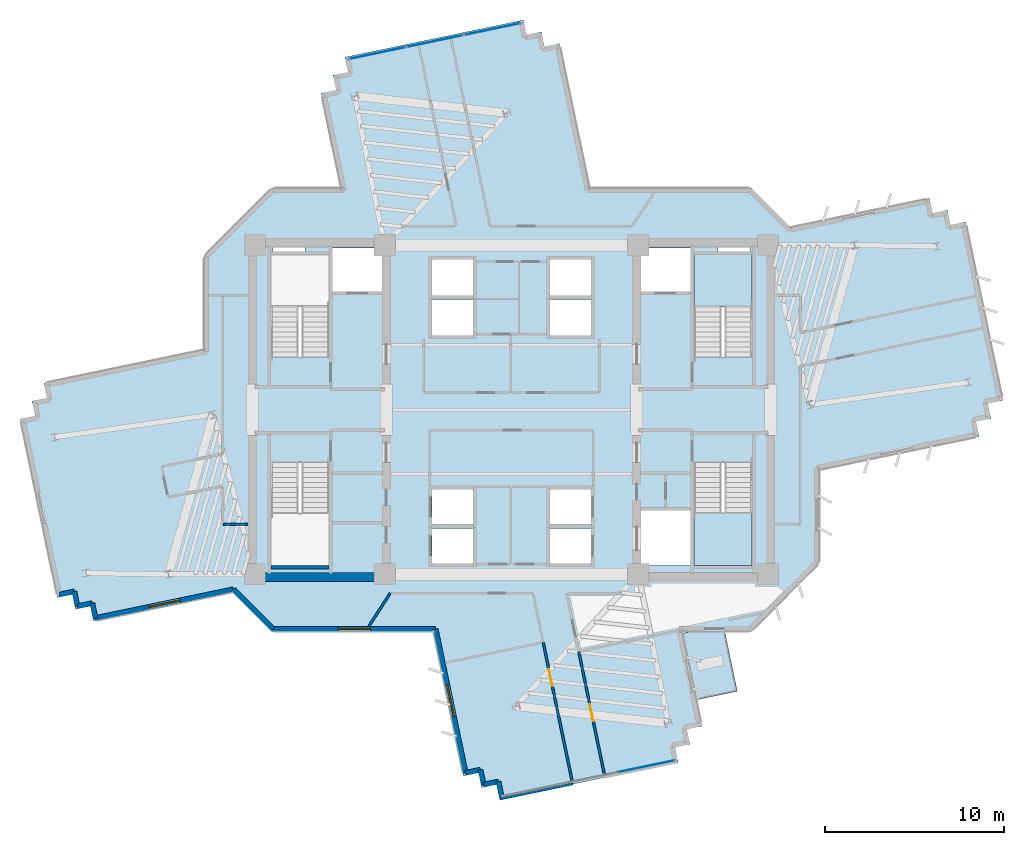
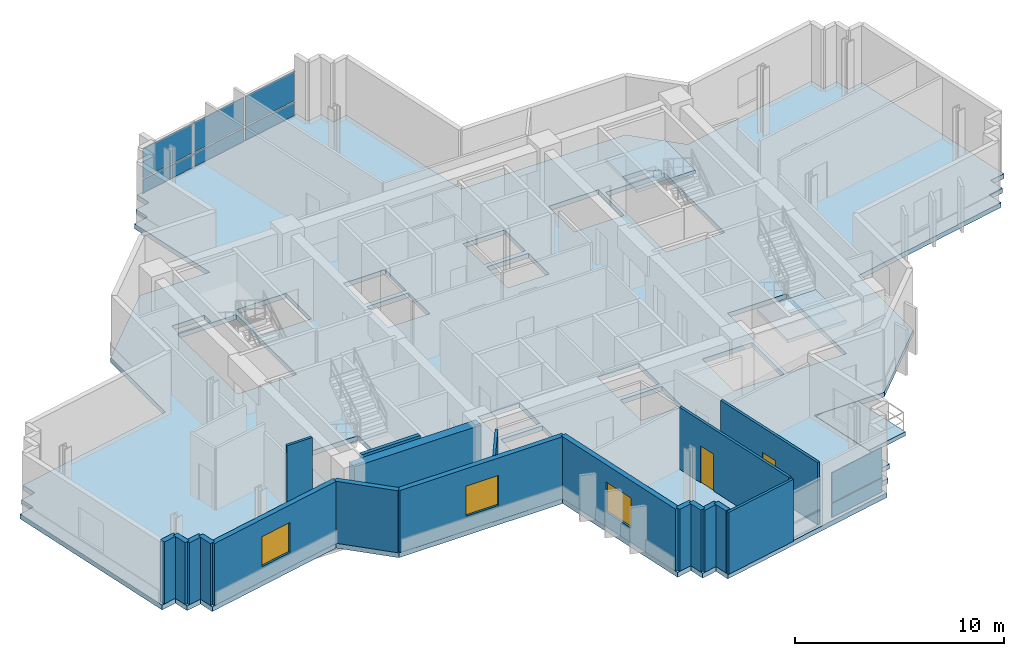
# One storey, part 6 of 14: 19 walls, 8 plates, 4 slabs, 3 windows, 2 doors, 5 openings, 4 elements without a shape of their own.
"""IFC4 building model written with IfcOpenShell, lengths in metres."""

from ifc_helpers import new_model, si_unit, direction, frame, frame_2d, origin, origin_2d, place, context, subcontext, project, spatial, polyline, rectangle, outline, extrude, source, transform, mapped, material, layer, layer_set, type_object, element, fill, aggregate, save


model = new_model("IFC4")

# Units and contexts
model_context = context("Model", 3, precision=1e-05, world=origin(), true_north=direction((0.0, 1.0)))
body_context = subcontext(model_context, "Body", "Model", "MODEL_VIEW")
ifc_project = project(units=[si_unit("LENGTHUNIT", "METRE"), si_unit("AREAUNIT", "SQUARE_METRE"), si_unit("VOLUMEUNIT", "CUBIC_METRE"), si_unit("PLANEANGLEUNIT", "RADIAN"), si_unit("MASSUNIT", "GRAM", prefix="KILO")], contexts=[model_context])

# Site, building, storey
site_placement = place(None, origin())
site = spatial("IfcSite", under=ifc_project, at=site_placement, CompositionType="ELEMENT")
building_placement = place(site_placement, origin())
building = spatial("IfcBuilding", under=site, at=building_placement, Name="Zahravan Cultural Tower", CompositionType="ELEMENT")
storey_placement = place(building_placement, frame((0.0, 0.0, 166.800048828125)))
storey = spatial("IfcBuildingStorey", under=building, at=storey_placement, Name="L38", CompositionType="ELEMENT", Elevation=166.800048828125)

# Slab
ifc_material_1 = material(Name="Concrete C45/55", Category="concrete")
ifc_layer_1 = layer(ifc_material_1, 0.280029296875)
ifc_layer_set_1 = layer_set([ifc_layer_1], Name="Concrete C45/55")
slab_type_1 = type_object("IfcSlabType", Name="SL-LIB-280", PredefinedType="FLOOR", material=ifc_layer_set_1)
slab_1_placement = place(storey_placement, frame((0.0, 0.0, -0.280029296875)))
element("IfcSlab", 1, at=slab_1_placement, inside=storey, type_object=slab_type_1, Name="L38 Structural Floor Slab", PredefinedType="FLOOR", context=body_context, shape_type="SweptSolid", body=[
    extrude(outline(polyline([(51.600341796875, 37.19970703125), (49.39990234375, 39.39990234375), (40.3603515625, 39.39990234375), (38.67578125, 47.4775390625), (37.84375, 47.303955078125), (37.670166015625, 48.135986328125), (36.837890625, 47.962646484375), (36.66455078125, 48.794677734375), (26.67919921875, 46.71240234375), (26.852783203125, 45.880126953125), (26.020751953125, 45.706787109375), (26.1943359375, 44.87451171875), (25.3623046875, 44.701171875), (26.4677734375, 39.39990234375), (22.60009765625, 39.39990234375), (18.800048828125, 35.60009765625), (18.800048828125, 30.359375), (9.844482421875, 28.49169921875), (10.01806640625, 27.65966796875), (9.18603515625, 27.486083984375), (9.359619140625, 26.654052734375), (8.527587890625, 26.48046875), (10.60986328125, 16.4951171875), (11.44189453125, 16.668701171875), (11.615478515625, 15.836669921875), (12.447509765625, 16.01025390625), (12.62109375, 15.177978515625), (20.399658203125, 16.80029296875), (22.60009765625, 14.60009765625), (31.6396484375, 14.60009765625), (33.32421875, 6.5224609375), (34.15625, 6.696044921875), (34.329833984375, 5.864013671875), (35.162109375, 6.037353515625), (35.33544921875, 5.205322265625), (45.32080078125, 7.28759765625), (45.147216796875, 8.119873046875), (45.979248046875, 8.293212890625), (45.8056640625, 9.12548828125), (46.6376953125, 9.298828125), (45.5322265625, 14.60009765625), (49.39990234375, 14.60009765625), (53.199951171875, 18.39990234375), (53.199951171875, 23.640625), (62.155517578125, 25.50830078125), (61.98193359375, 26.34033203125), (62.81396484375, 26.513916015625), (62.640380859375, 27.345947265625), (63.472412109375, 27.51953125), (61.39013671875, 37.5048828125), (60.55810546875, 37.331298828125), (60.384521484375, 38.163330078125), (59.552490234375, 37.98974609375), (59.37890625, 38.822021484375), (51.600341796875, 37.19970703125)]), holes=[polyline([(22.550048828125, 29.949951171875), (22.550048828125, 35.699951171875), (25.800048828125, 35.699951171875), (25.800048828125, 29.949951171875), (22.550048828125, 29.949951171875)]), polyline([(22.550048828125, 18.300048828125), (22.550048828125, 24.050048828125), (25.800048828125, 24.050048828125), (25.800048828125, 18.300048828125), (22.550048828125, 18.300048828125)]), polyline([(46.199951171875, 29.949951171875), (46.199951171875, 35.699951171875), (49.449951171875, 35.699951171875), (49.449951171875, 29.949951171875), (46.199951171875, 29.949951171875)]), polyline([(46.199951171875, 18.300048828125), (46.199951171875, 24.050048828125), (49.449951171875, 24.050048828125), (49.449951171875, 18.300048828125), (46.199951171875, 18.300048828125)]), polyline([(26.0, 33.60009765625), (26.0, 36.050048828125), (28.75, 36.050048828125), (28.75, 33.60009765625), (26.0, 33.60009765625)]), polyline([(43.25, 33.60009765625), (43.25, 36.050048828125), (46.0, 36.050048828125), (46.0, 33.60009765625), (43.25, 33.60009765625)]), polyline([(43.25, 18.300048828125), (43.25, 21.35009765625), (46.0, 21.35009765625), (46.0, 18.300048828125), (43.25, 18.300048828125)]), polyline([(31.550048828125, 33.39990234375), (31.550048828125, 35.39990234375), (33.85009765625, 35.39990234375), (33.85009765625, 33.39990234375), (31.550048828125, 33.39990234375)]), polyline([(31.550048828125, 31.14990234375), (31.550048828125, 33.14990234375), (33.85009765625, 33.14990234375), (33.85009765625, 31.14990234375), (31.550048828125, 31.14990234375)]), polyline([(38.14990234375, 33.39990234375), (38.14990234375, 35.39990234375), (40.449951171875, 35.39990234375), (40.449951171875, 33.39990234375), (38.14990234375, 33.39990234375)]), polyline([(38.14990234375, 31.14990234375), (38.14990234375, 33.14990234375), (40.449951171875, 33.14990234375), (40.449951171875, 31.14990234375), (38.14990234375, 31.14990234375)]), polyline([(31.550048828125, 20.60009765625), (31.550048828125, 22.550048828125), (33.85009765625, 22.550048828125), (33.85009765625, 20.60009765625), (31.550048828125, 20.60009765625)]), polyline([(31.550048828125, 18.39990234375), (31.550048828125, 20.35009765625), (33.85009765625, 20.35009765625), (33.85009765625, 18.39990234375), (31.550048828125, 18.39990234375)]), polyline([(38.14990234375, 20.60009765625), (38.14990234375, 22.550048828125), (40.449951171875, 22.550048828125), (40.449951171875, 20.60009765625), (38.14990234375, 20.60009765625)]), polyline([(38.14990234375, 18.39990234375), (38.14990234375, 20.35009765625), (40.449951171875, 20.35009765625), (40.449951171875, 18.39990234375), (38.14990234375, 18.39990234375)]), polyline([(22.64990234375, 35.800048828125), (22.64990234375, 36.419921875), (24.449951171875, 36.419921875), (24.449951171875, 35.800048828125), (22.64990234375, 35.800048828125)]), polyline([(47.550048828125, 35.800048828125), (47.550048828125, 36.419921875), (49.35009765625, 36.419921875), (49.35009765625, 35.800048828125), (47.550048828125, 35.800048828125)])]), origin(), (0.0, 0.0, 1.0), 0.280029296875),
])

# Stair, slab
stair_type = type_object("IfcStairType", Name="STR-DL-1550-390", PredefinedType="HALF_TURN_STAIR", material=ifc_material_1)
stair_1_placement = place(storey_placement, origin())
stair_1 = element("IfcStair", 2, at=stair_1_placement, inside=storey, type_object=stair_type, Name="L38 East Core North Exit Stair ST-E1", PredefinedType="HALF_TURN_STAIR")
ifc_layer_2 = layer(ifc_material_1, 0.199951171875)
ifc_layer_set_2 = layer_set([ifc_layer_2], Name="Concrete C45/55")
slab_type_2 = type_object("IfcSlabType", Name="SL-STAIR-LND200", PredefinedType="LANDING", material=ifc_layer_set_2)
slab_2_placement = place(storey_placement, frame((0.0, 0.0, 1.75)))
slab_2 = element("IfcSlab", 3, at=slab_2_placement, type_object=slab_type_2, Name="ST-E1 landing 1", PredefinedType="LANDING", context=body_context, shape_type="SweptSolid", body=[
    extrude(outline(polyline([(49.449951171875, 32.75), (49.449951171875, 35.699951171875), (46.199951171875, 35.699951171875), (46.199951171875, 32.75), (49.449951171875, 32.75)])), origin(), (0.0, 0.0, 1.0), 0.199951171875),
])
aggregate(stair_1, [slab_2])

stair_2_placement = place(storey_placement, origin())
stair_2 = element("IfcStair", 4, at=stair_2_placement, inside=storey, type_object=stair_type, Name="L38 East Core South Exit Stair ST-E2", PredefinedType="HALF_TURN_STAIR")
slab_3_placement = place(storey_placement, frame((0.0, 0.0, 1.75)))
slab_3 = element("IfcSlab", 5, at=slab_3_placement, type_object=slab_type_2, Name="ST-E2 landing 1", PredefinedType="LANDING", context=body_context, shape_type="SweptSolid", body=[
    extrude(outline(polyline([(46.199951171875, 21.25), (46.199951171875, 18.300048828125), (49.449951171875, 18.300048828125), (49.449951171875, 21.25), (46.199951171875, 21.25)])), origin(), (0.0, 0.0, 1.0), 0.199951171875),
])
aggregate(stair_2, [slab_3])

# Slab
ifc_material_2 = material(Name="Concrete C40/50", Category="concrete")
ifc_layer_3 = layer(ifc_material_2, 0.239990234375)
ifc_layer_set_3 = layer_set([ifc_layer_3], Name="Concrete C40/50")
slab_type_3 = type_object("IfcSlabType", Name="SL-TERR-240", PredefinedType="FLOOR", material=ifc_layer_set_3)
slab_4_placement = place(storey_placement, frame((0.0, 0.0, -0.239990234375)))
element("IfcSlab", 6, at=slab_4_placement, inside=storey, type_object=slab_type_3, Name="L38 Planted Sculpture Terrace SE", PredefinedType="FLOOR", context=body_context, shape_type="SweptSolid", body=[
    extrude(outline(polyline([(48.632080078125, 11.2470703125), (47.933837890625, 14.594970703125), (46.072265625, 14.594970703125), (45.560791015625, 14.48828125), (46.33642578125, 10.768310546875), (48.632080078125, 11.2470703125)])), origin(), (0.0, 0.0, 1.0), 0.239990234375),
])

# Curtain wall, plates
ifc_material_3 = material(Name="Anodised bronze-aluminium mullion", Category="aluminium")
ifc_layer_4 = layer(ifc_material_3, 0.219970703125)
ifc_layer_set_4 = layer_set([ifc_layer_4], Name="Anodised bronze-aluminium mullion")
curtain_wall_type_1 = type_object("IfcCurtainWallType", Name="CW-SYS-1", PredefinedType="USERDEFINED", material=ifc_layer_set_4)
curtain_wall_1_placement = place(storey_placement, origin())
curtain_wall_1 = element("IfcCurtainWall", 7, at=curtain_wall_1_placement, inside=storey, type_object=curtain_wall_type_1, Name="L38 Recessed Curtain Wall CW-1.2", ObjectType="RECESSED GLAZING", PredefinedType="USERDEFINED")
ifc_material_4 = material(Name="Low-E solar-control double glazing", Category="glass")
ifc_layer_5 = layer(ifc_material_4, 0.031982421875)
ifc_layer_set_5 = layer_set([ifc_layer_5], Name="Low-E solar-control double glazing")
plate_type_1 = type_object("IfcPlateType", Name="CWP-CW-1", PredefinedType="CURTAIN_PANEL", material=ifc_layer_set_5)
shared_shape_1 = source(origin(), body_context, "Body", "SweptSolid", [
    extrude(rectangle(XDim=3.186767578125, YDim=0.031982421875, at=origin_2d()), origin(), (0.0, 0.0, 1.0), 0.780029296875),
])
plate_1_placement = place(storey_placement, frame((28.48291015625, 46.9453125, 0.080078125), z_axis=(0.0, 0.0, 1.0), x_axis=(0.978937039301, 0.204162369415, 0.0)))
plate_1 = element("IfcPlate", 8, at=plate_1_placement, type_object=plate_type_1, Name="CW-1 panel 1.1", PredefinedType="CURTAIN_PANEL", context=body_context, shape_type="MappedRepresentation", body=[
    mapped(shared_shape_1, transform((0.0, 0.0, 0.0), x_axis=(1.0, 0.0, 0.0), y_axis=(0.0, 1.0, 0.0), z_axis=(0.0, 0.0, 1.0), scale=1.0)),
])
plate_2_placement = place(storey_placement, frame((34.91796875, 48.287353515625, 0.080078125), z_axis=(0.0, 0.0, 1.0), x_axis=(0.978937039301, 0.204162369415, 0.0)))
plate_2 = element("IfcPlate", 9, at=plate_2_placement, type_object=plate_type_1, Name="CW-1 panel 3.1", PredefinedType="CURTAIN_PANEL", context=body_context, shape_type="MappedRepresentation", body=[
    mapped(shared_shape_1, transform((0.0, 0.0, 0.0), x_axis=(1.0, 0.0, 0.0), y_axis=(0.0, 1.0, 0.0), z_axis=(0.0, 0.0, 1.0), scale=1.0)),
])

ifc_layer_6 = layer(ifc_material_3, 0.1650390625)
ifc_layer_set_6 = layer_set([ifc_layer_6], Name="Anodised bronze-aluminium mullion")
curtain_wall_type_2 = type_object("IfcCurtainWallType", Name="CW-SYS-4", PredefinedType="USERDEFINED", material=ifc_layer_set_6)
curtain_wall_2_placement = place(storey_placement, origin())
curtain_wall_2 = element("IfcCurtainWall", 10, at=curtain_wall_2_placement, inside=storey, type_object=curtain_wall_type_2, Name="L38 Recessed Curtain Wall CW-4.1", ObjectType="RECESSED GLAZING", PredefinedType="USERDEFINED")
ifc_layer_7 = layer(ifc_material_4, 0.02587890625)
ifc_layer_set_7 = layer_set([ifc_layer_7], Name="Low-E solar-control double glazing")
plate_type_2 = type_object("IfcPlateType", Name="CWP-CW-4", PredefinedType="CURTAIN_PANEL", material=ifc_layer_set_7)
shared_shape_2 = source(origin(), body_context, "Body", "SweptSolid", [
    extrude(rectangle(XDim=3.209228515625, YDim=0.02587890625, at=origin_2d()), origin(), (0.0, 0.0, 1.0), 0.802490234375),
])
plate_3_placement = place(storey_placement, frame((43.520751953125, 7.055419921875, 0.06494140625), z_axis=(0.0, 0.0, 1.0), x_axis=(-0.978937039301, -0.204162369415, 0.0)))
plate_3 = element("IfcPlate", 11, at=plate_3_placement, type_object=plate_type_2, Name="CW-4 panel 1.1", PredefinedType="CURTAIN_PANEL", context=body_context, shape_type="MappedRepresentation", body=[
    mapped(shared_shape_2, transform((0.0, 0.0, 0.0), x_axis=(1.0, 0.0, 0.0), y_axis=(0.0, 1.0, 0.0), z_axis=(0.0, 0.0, 1.0), scale=1.0)),
])
shared_shape_3 = source(origin(), body_context, "Body", "SweptSolid", [
    extrude(rectangle(XDim=3.209228515625, YDim=0.02587890625, at=origin_2d()), origin(), (0.0, 0.0, 1.0), 1.742431640625),
])
plate_4_placement = place(storey_placement, frame((43.520751953125, 7.055419921875, 0.9326171875), z_axis=(0.0, 0.0, 1.0), x_axis=(-0.978937039301, -0.204162369415, 0.0)))
plate_4 = element("IfcPlate", 12, at=plate_4_placement, type_object=plate_type_2, Name="CW-4 panel 1.2", PredefinedType="CURTAIN_PANEL", context=body_context, shape_type="MappedRepresentation", body=[
    mapped(shared_shape_3, transform((0.0, 0.0, 0.0), x_axis=(1.0, 0.0, 0.0), y_axis=(0.0, 1.0, 0.0), z_axis=(0.0, 0.0, 1.0), scale=1.0)),
])
aggregate(curtain_wall_2, [plate_3, plate_4])

# Plate
shared_shape_4 = source(origin(), body_context, "Body", "SweptSolid", [
    extrude(rectangle(XDim=3.186767578125, YDim=0.031982421875, at=origin_2d()), origin(), (0.0, 0.0, 1.0), 1.719970703125),
])
plate_5_placement = place(storey_placement, frame((28.48291015625, 46.9453125, 0.93994140625), z_axis=(0.0, 0.0, 1.0), x_axis=(0.978937039301, 0.204162369415, 0.0)))
plate_5 = element("IfcPlate", 13, at=plate_5_placement, type_object=plate_type_1, Name="CW-1 panel 1.2", PredefinedType="CURTAIN_PANEL", context=body_context, shape_type="MappedRepresentation", body=[
    mapped(shared_shape_4, transform((0.0, 0.0, 0.0), x_axis=(1.0, 0.0, 0.0), y_axis=(0.0, 1.0, 0.0), z_axis=(0.0, 0.0, 1.0), scale=1.0)),
])

plate_6_placement = place(storey_placement, frame((34.91796875, 48.287353515625, 0.93994140625), z_axis=(0.0, 0.0, 1.0), x_axis=(0.978937039301, 0.204162369415, 0.0)))
plate_6 = element("IfcPlate", 14, at=plate_6_placement, type_object=plate_type_1, Name="CW-1 panel 3.2", PredefinedType="CURTAIN_PANEL", context=body_context, shape_type="MappedRepresentation", body=[
    mapped(shared_shape_4, transform((0.0, 0.0, 0.0), x_axis=(1.0, 0.0, 0.0), y_axis=(0.0, 1.0, 0.0), z_axis=(0.0, 0.0, 1.0), scale=1.0)),
])

shared_shape_5 = source(origin(), body_context, "Body", "SweptSolid", [
    extrude(rectangle(XDim=3.2265625, YDim=0.031982421875, at=origin_2d()), origin(), (0.0, 0.0, 1.0), 0.780029296875),
])
plate_7_placement = place(storey_placement, frame((31.700439453125, 47.616455078125, 0.080078125), z_axis=(0.0, 0.0, 1.0), x_axis=(0.978937039301, 0.204162369415, 0.0)))
plate_7 = element("IfcPlate", 15, at=plate_7_placement, type_object=plate_type_1, Name="CW-1 panel 2.1", PredefinedType="CURTAIN_PANEL", context=body_context, shape_type="MappedRepresentation", body=[
    mapped(shared_shape_5, transform((0.0, 0.0, 0.0), x_axis=(1.0, 0.0, 0.0), y_axis=(0.0, 1.0, 0.0), z_axis=(0.0, 0.0, 1.0), scale=1.0)),
])

shared_shape_6 = source(origin(), body_context, "Body", "SweptSolid", [
    extrude(rectangle(XDim=3.2265625, YDim=0.031982421875, at=origin_2d()), origin(), (0.0, 0.0, 1.0), 1.719970703125),
])
plate_8_placement = place(storey_placement, frame((31.700439453125, 47.616455078125, 0.93994140625), z_axis=(0.0, 0.0, 1.0), x_axis=(0.978937039301, 0.204162369415, 0.0)))
plate_8 = element("IfcPlate", 16, at=plate_8_placement, type_object=plate_type_1, Name="CW-1 panel 2.2", PredefinedType="CURTAIN_PANEL", context=body_context, shape_type="MappedRepresentation", body=[
    mapped(shared_shape_6, transform((0.0, 0.0, 0.0), x_axis=(1.0, 0.0, 0.0), y_axis=(0.0, 1.0, 0.0), z_axis=(0.0, 0.0, 1.0), scale=1.0)),
])

aggregate(curtain_wall_1, [plate_1, plate_5, plate_7, plate_8, plate_2, plate_6])

# Wall, opening, window
ifc_material_5 = material(Name="Precast concrete C40/50", Category="concrete")
ifc_layer_8 = layer(ifc_material_5, 0.280029296875)
ifc_layer_set_8 = layer_set([ifc_layer_8], Name="Precast concrete C40/50")
wall_type_1 = type_object("IfcWallType", Name="EW-TC-280", PredefinedType="SOLIDWALL", material=ifc_layer_set_8)
wall_1_placement = place(storey_placement, frame((33.4326171875, 6.68798828125, 0.0), z_axis=(0.0, 0.0, 1.0), x_axis=(-0.204152195211, 0.978939161128, 0.0)))
wall_1 = element("IfcWall", 17, at=wall_1_placement, inside=storey, type_object=wall_type_1, Name="L38 Exterior Masonry Frame Wall 24", PredefinedType="SOLIDWALL", context=body_context, shape_type="SweptSolid", body=[
    extrude(rectangle(XDim=8.225341796875, YDim=0.280029296875, at=frame_2d((4.11279296875, 0.0))), origin(), (0.0, 0.0, 1.0), 3.619873046875),
])
opening_1_placement = place(wall_1_placement, frame((3.212890625, 0.0, 0.85009765625)))
opening_1 = element("IfcOpeningElement", 18, at=opening_1_placement, cuts=wall_1, Name="Opening WN-02", PredefinedType="OPENING", context=body_context, shape_type="SweptSolid", body=[
    extrude(rectangle(XDim=1.800048828125, YDim=1.75, at=frame_2d((0.89990234375, 0.875))), frame((0.0, 0.14990234375, 0.0), z_axis=(0.0, -1.0, 0.0), x_axis=(1.0, 0.0, 0.0)), (0.0, 0.0, 1.0), 0.300048828125),
])
window_type = type_object("IfcWindowType", Name="WN-REC-1800X1750", PartitioningType="DOUBLE_PANEL_VERTICAL", PredefinedType="WINDOW", material=ifc_material_4)
shared_shape_7 = source(origin(), body_context, "Body", "SweptSolid", [
    extrude(rectangle(XDim=1.800048828125, YDim=1.75, at=frame_2d((0.89990234375, 0.875))), frame((0.0, 0.030029296875, 0.0), z_axis=(0.0, -1.0, 0.0), x_axis=(1.0, 0.0, 0.0)), (0.0, 0.0, 1.0), 0.06005859375),
])
window_1_placement = place(opening_1_placement, origin())
window_1 = element("IfcWindow", 19, at=window_1_placement, inside=storey, type_object=window_type, Name="L38 Recessed Solar Window 05", OverallHeight=1.75, OverallWidth=1.800048828125, PartitioningType="DOUBLE_PANEL_VERTICAL", PredefinedType="WINDOW", context=body_context, shape_type="MappedRepresentation", body=[
    mapped(shared_shape_7, transform((0.0, 0.0, 0.0), x_axis=(1.0, 0.0, 0.0), y_axis=(0.0, 1.0, 0.0), z_axis=(0.0, 0.0, 1.0), scale=1.0)),
])
fill(opening_1, window_1)

wall_2_placement = place(storey_placement, frame((31.75341796875, 14.739990234375, 0.0), z_axis=(0.0, 0.0, 1.0), x_axis=(-1.0, 0.0, 0.0)))
wall_2 = element("IfcWall", 20, at=wall_2_placement, inside=storey, type_object=wall_type_1, Name="L38 Exterior Masonry Frame Wall 25", PredefinedType="SOLIDWALL", context=body_context, shape_type="SweptSolid", body=[
    extrude(rectangle(XDim=9.095458984375, YDim=0.280029296875, at=frame_2d((4.5478515625, 0.0))), origin(), (0.0, 0.0, 1.0), 3.619873046875),
])
opening_2_placement = place(wall_2_placement, frame((3.64794921875, 0.0, 0.85009765625)))
opening_2 = element("IfcOpeningElement", 21, at=opening_2_placement, cuts=wall_2, Name="Opening WN-02", PredefinedType="OPENING", context=body_context, shape_type="SweptSolid", body=[
    extrude(rectangle(XDim=1.800048828125, YDim=1.75, at=frame_2d((0.89990234375, 0.875))), frame((0.0, 0.14990234375, 0.0), z_axis=(0.0, -1.0, 0.0), x_axis=(1.0, 0.0, 0.0)), (0.0, 0.0, 1.0), 0.300048828125),
])
window_2_placement = place(opening_2_placement, origin())
window_2 = element("IfcWindow", 22, at=window_2_placement, inside=storey, type_object=window_type, Name="L38 Recessed Solar Window 06", OverallHeight=1.75, OverallWidth=1.800048828125, PartitioningType="DOUBLE_PANEL_VERTICAL", PredefinedType="WINDOW", context=body_context, shape_type="MappedRepresentation", body=[
    mapped(shared_shape_7, transform((0.0, 0.0, 0.0), x_axis=(1.0, 0.0, 0.0), y_axis=(0.0, 1.0, 0.0), z_axis=(0.0, 0.0, 1.0), scale=1.0)),
])
fill(opening_2, window_2)

wall_3_placement = place(storey_placement, frame((20.4453125, 16.952880859375, 0.0), z_axis=(0.0, 0.0, 1.0), x_axis=(-0.978938136474, -0.204157108515, 0.0)))
wall_3 = element("IfcWall", 23, at=wall_3_placement, inside=storey, type_object=wall_type_1, Name="L38 Exterior Masonry Frame Wall 27", PredefinedType="SOLIDWALL", context=body_context, shape_type="SweptSolid", body=[
    extrude(rectangle(XDim=7.8818359375, YDim=0.280029296875, at=frame_2d((3.94091796875, 0.0))), origin(), (0.0, 0.0, 1.0), 3.619873046875),
])
opening_3_placement = place(wall_3_placement, frame((3.041015625, 0.0, 0.85009765625)))
opening_3 = element("IfcOpeningElement", 24, at=opening_3_placement, cuts=wall_3, Name="Opening WN-02", PredefinedType="OPENING", context=body_context, shape_type="SweptSolid", body=[
    extrude(rectangle(XDim=1.800048828125, YDim=1.75, at=frame_2d((0.89990234375, 0.875))), frame((0.0, 0.14990234375, 0.0), z_axis=(0.0, -1.0, 0.0), x_axis=(1.0, 0.0, 0.0)), (0.0, 0.0, 1.0), 0.300048828125),
])
window_3_placement = place(opening_3_placement, origin())
window_3 = element("IfcWindow", 25, at=window_3_placement, inside=storey, type_object=window_type, Name="L38 Recessed Solar Window 07", OverallHeight=1.75, OverallWidth=1.800048828125, PartitioningType="DOUBLE_PANEL_VERTICAL", PredefinedType="WINDOW", context=body_context, shape_type="MappedRepresentation", body=[
    mapped(shared_shape_7, transform((0.0, 0.0, 0.0), x_axis=(1.0, 0.0, 0.0), y_axis=(0.0, 1.0, 0.0), z_axis=(0.0, 0.0, 1.0), scale=1.0)),
])
fill(opening_3, window_3)

# Wall, opening, door
ifc_material_6 = material(Name="Gypsum plasterboard partition")
ifc_layer_9 = layer(ifc_material_6, 0.139892578125)
ifc_layer_set_9 = layer_set([ifc_layer_9], Name="Gypsum plasterboard partition")
wall_type_2 = type_object("IfcWallType", Name="W-PART-140", PredefinedType="PARTITIONING", material=ifc_layer_set_9)
wall_4_placement = place(storey_placement, frame((41.182373046875, 6.656982421875, 0.0), z_axis=(0.0, 0.0, 1.0), x_axis=(-0.204158980406, 0.97893774609, 0.0)))
wall_4 = element("IfcWall", 26, at=wall_4_placement, inside=storey, type_object=wall_type_2, Name="L38 Interior Wall 085", PredefinedType="PARTITIONING", context=body_context, shape_type="SweptSolid", body=[
    extrude(rectangle(XDim=6.95263671875, YDim=0.139892578125, at=frame_2d((3.476318359375, 0.0))), origin(), (0.0, 0.0, 1.0), 3.619873046875),
])
opening_4_placement = place(wall_4_placement, frame((3.001220703125, 0.0, 0.0)))
opening_4 = element("IfcOpeningElement", 27, at=opening_4_placement, cuts=wall_4, Name="Opening D-L38-28", PredefinedType="OPENING", context=body_context, shape_type="SweptSolid", body=[
    extrude(rectangle(XDim=0.949951171875, YDim=2.14990234375, at=frame_2d((0.47509765625, 1.074951171875))), frame((0.0, 0.079833984375, 0.0), z_axis=(0.0, -1.0, 0.0), x_axis=(1.0, 0.0, 0.0)), (0.0, 0.0, 1.0), 0.159912109375),
])
door_type = type_object("IfcDoorType", Name="DR-ROOM-950", OperationType="NOTDEFINED", PredefinedType="DOOR", material=ifc_material_3)
shared_shape_8 = source(origin(), body_context, "Body", "SweptSolid", [
    extrude(rectangle(XDim=0.949951171875, YDim=2.14990234375, at=frame_2d((0.47509765625, 1.074951171875))), frame((0.0, 0.02490234375, 0.0), z_axis=(0.0, -1.0, 0.0), x_axis=(1.0, 0.0, 0.0)), (0.0, 0.0, 1.0), 0.050048828125),
])
door_1_placement = place(opening_4_placement, origin())
door_1 = element("IfcDoor", 28, at=door_1_placement, inside=storey, type_object=door_type, Name="L38 Door D-L38-28", OperationType="SINGLE_SWING_LEFT", OverallHeight=2.14990234375, OverallWidth=0.949951171875, PredefinedType="DOOR", context=body_context, shape_type="MappedRepresentation", body=[
    mapped(shared_shape_8, transform((0.0, 0.0, 0.0), x_axis=(1.0, 0.0, 0.0), y_axis=(0.0, 1.0, 0.0), z_axis=(0.0, 0.0, 1.0), scale=1.0)),
])
fill(opening_4, door_1)

wall_5_placement = place(storey_placement, frame((37.77783203125, 13.968505859375, 0.0), z_axis=(0.0, 0.0, 1.0), x_axis=(0.204175249208, -0.978934353065, 0.0)))
wall_5 = element("IfcWall", 29, at=wall_5_placement, inside=storey, type_object=wall_type_2, Name="L38 Interior Wall 086", PredefinedType="PARTITIONING", context=body_context, shape_type="SweptSolid", body=[
    extrude(rectangle(XDim=7.8525390625, YDim=0.139892578125, at=frame_2d((3.92626953125, 0.0))), origin(), (0.0, 0.0, 1.0), 3.619873046875),
])
opening_5_placement = place(wall_5_placement, frame((1.5185546875, 0.0, 0.0)))
opening_5 = element("IfcOpeningElement", 30, at=opening_5_placement, cuts=wall_5, Name="Opening D-L38-26", PredefinedType="OPENING", context=body_context, shape_type="SweptSolid", body=[
    extrude(rectangle(XDim=0.949951171875, YDim=2.14990234375, at=frame_2d((0.47509765625, 1.074951171875))), frame((0.0, 0.079833984375, 0.0), z_axis=(0.0, -1.0, 0.0), x_axis=(1.0, 0.0, 0.0)), (0.0, 0.0, 1.0), 0.159912109375),
])
door_2_placement = place(opening_5_placement, origin())
door_2 = element("IfcDoor", 31, at=door_2_placement, inside=storey, type_object=door_type, Name="L38 Door D-L38-26", OperationType="SINGLE_SWING_LEFT", OverallHeight=2.14990234375, OverallWidth=0.949951171875, PredefinedType="DOOR", context=body_context, shape_type="MappedRepresentation", body=[
    mapped(shared_shape_8, transform((0.0, 0.0, 0.0), x_axis=(1.0, 0.0, 0.0), y_axis=(0.0, 1.0, 0.0), z_axis=(0.0, 0.0, 1.0), scale=1.0)),
])
fill(opening_5, door_2)

# Walls
ifc_material_7 = material(Name="Concrete C60/75", Category="concrete")
ifc_layer_10 = layer(ifc_material_7, 0.5)
ifc_layer_set_10 = layer_set([ifc_layer_10], Name="Concrete C60/75")
wall_type_3 = type_object("IfcWallType", Name="CW-SHEAR-500-C60", PredefinedType="SHEAR", material=ifc_layer_set_10)
shared_shape_9 = source(origin(), body_context, "Body", "SweptSolid", [
    extrude(rectangle(XDim=7.0, YDim=0.5, at=frame_2d((3.5, 0.0))), origin(), (0.0, 0.0, 1.0), 3.619873046875),
])
wall_6_placement = place(storey_placement, frame((21.75, 17.64990234375, 0.0), z_axis=(0.0, 0.0, 1.0), x_axis=(1.0, 0.0, 0.0)))
element("IfcWall", 32, at=wall_6_placement, inside=storey, type_object=wall_type_3, Name="L38 Core Shear Wall CW-W-S-L38", PredefinedType="SHEAR", context=body_context, shape_type="MappedRepresentation", body=[
    mapped(shared_shape_9, transform((0.0, 0.0, 0.0), x_axis=(1.0, 0.0, 0.0), y_axis=(0.0, 1.0, 0.0), z_axis=(0.0, 0.0, 1.0), scale=1.0)),
])
shared_shape_10 = source(origin(), body_context, "Body", "SweptSolid", [
    extrude(rectangle(XDim=0.85009765625, YDim=0.280029296875, at=frame_2d((0.425048828125, 0.0))), origin(), (0.0, 0.0, 1.0), 3.619873046875),
])
wall_7_placement = place(storey_placement, frame((34.264892578125, 6.861572265625, 0.0), z_axis=(0.0, 0.0, 1.0), x_axis=(-0.97893500384, -0.204172128991, 0.0)))
element("IfcWall", 33, at=wall_7_placement, inside=storey, type_object=wall_type_1, Name="L38 Exterior Masonry Frame Wall 23", PredefinedType="SOLIDWALL", context=body_context, shape_type="MappedRepresentation", body=[
    mapped(shared_shape_10, transform((0.0, 0.0, 0.0), x_axis=(1.0, 0.0, 0.0), y_axis=(0.0, 1.0, 0.0), z_axis=(0.0, 0.0, 1.0), scale=1.0)),
])
shared_shape_11 = source(origin(), body_context, "Body", "SweptSolid", [
    extrude(rectangle(XDim=0.849853515625, YDim=0.280029296875, at=frame_2d((0.4248046875, 0.0))), origin(), (0.0, 0.0, 1.0), 3.619873046875),
])
for number, where, z_axis, x_axis, name in (
    (34, (35.444091796875, 5.370849609375, 0.0), (0.0, 0.0, 1.0), (-0.20422954019, 0.978923028084, 0.0), "L38 Exterior Masonry Frame Wall 20"),
    (35, (35.2705078125, 6.202880859375, 0.0), (0.0, 0.0, 1.0), (-0.978980419738, -0.203954254112, 0.0), "L38 Exterior Masonry Frame Wall 21"),
    (36, (34.4384765625, 6.029541015625, 0.0), (0.0, 0.0, 1.0), (-0.20422954019, 0.978923028084, 0.0), "L38 Exterior Masonry Frame Wall 22"),
    (37, (12.7294921875, 15.34375, 0.0), (0.0, 0.0, 1.0), (-0.203954254112, 0.978980419738, 0.0), "L38 Exterior Masonry Frame Wall 28"),
    (38, (12.55615234375, 16.17578125, 0.0), (0.0, 0.0, 1.0), (-0.978923028084, -0.20422954019, 0.0), "L38 Exterior Masonry Frame Wall 29"),
    (39, (11.55029296875, 16.83447265625, 0.0), (0.0, 0.0, 1.0), (-0.978923028084, -0.20422954019, 0.0), "L38 Exterior Masonry Frame Wall 31"),
):
    element("IfcWall", number, at=place(storey_placement, frame(where, z_axis=z_axis, x_axis=x_axis)), inside=storey, type_object=wall_type_1, Name=name, PredefinedType="SOLIDWALL", context=body_context, shape_type="MappedRepresentation", body=[
        mapped(shared_shape_11, transform((0.0, 0.0, 0.0), x_axis=(1.0, 0.0, 0.0), y_axis=(0.0, 1.0, 0.0), z_axis=(0.0, 0.0, 1.0), scale=1.0)),
    ])
shared_shape_12 = source(origin(), body_context, "Body", "SweptSolid", [
    extrude(rectangle(XDim=0.850341796875, YDim=0.280029296875, at=frame_2d((0.42529296875, 0.0))), origin(), (0.0, 0.0, 1.0), 3.619873046875),
])
wall_8_placement = place(storey_placement, frame((11.72412109375, 16.002197265625, 0.0), z_axis=(0.0, 0.0, 1.0), x_axis=(-0.204447295999, 0.978877573121, 0.0)))
element("IfcWall", 40, at=wall_8_placement, inside=storey, type_object=wall_type_1, Name="L38 Exterior Masonry Frame Wall 30", PredefinedType="SOLIDWALL", context=body_context, shape_type="MappedRepresentation", body=[
    mapped(shared_shape_12, transform((0.0, 0.0, 0.0), x_axis=(1.0, 0.0, 0.0), y_axis=(0.0, 1.0, 0.0), z_axis=(0.0, 0.0, 1.0), scale=1.0)),
])
shared_shape_13 = source(origin(), body_context, "Body", "SweptSolid", [
    extrude(rectangle(XDim=3.12939453125, YDim=0.280029296875, at=frame_2d((1.564697265625, 0.0))), origin(), (0.0, 0.0, 1.0), 3.619873046875),
])
wall_9_placement = place(storey_placement, frame((22.657958984375, 14.739990234375, 0.0), z_axis=(0.0, 0.0, 1.0), x_axis=(-0.707067771627, 0.707145788594, 0.0)))
element("IfcWall", 41, at=wall_9_placement, inside=storey, type_object=wall_type_1, Name="L38 Exterior Masonry Frame Wall 26", PredefinedType="SOLIDWALL", context=body_context, shape_type="MappedRepresentation", body=[
    mapped(shared_shape_13, transform((0.0, 0.0, 0.0), x_axis=(1.0, 0.0, 0.0), y_axis=(0.0, 1.0, 0.0), z_axis=(0.0, 0.0, 1.0), scale=1.0)),
])
ifc_layer_11 = layer(ifc_material_1, 0.199951171875)
ifc_layer_set_11 = layer_set([ifc_layer_11], Name="Concrete C45/55")
wall_type_4 = type_object("IfcWallType", Name="W-SHAFT-200", PredefinedType="SOLIDWALL", material=ifc_layer_set_11)
shared_shape_14 = source(origin(), body_context, "Body", "SweptSolid", [
    extrude(rectangle(XDim=3.25, YDim=0.199951171875, at=frame_2d((1.625, 0.0))), origin(), (0.0, 0.0, 1.0), 3.619873046875),
])
wall_10_placement = place(storey_placement, frame((22.550048828125, 18.199951171875, 0.0), z_axis=(0.0, 0.0, 1.0), x_axis=(1.0, 0.0, 0.0)))
element("IfcWall", 42, at=wall_10_placement, inside=storey, type_object=wall_type_4, Name="L38 Interior Wall 019", PredefinedType="SOLIDWALL", context=body_context, shape_type="MappedRepresentation", body=[
    mapped(shared_shape_14, transform((0.0, 0.0, 0.0), x_axis=(1.0, 0.0, 0.0), y_axis=(0.0, 1.0, 0.0), z_axis=(0.0, 0.0, 1.0), scale=1.0)),
])
shared_shape_15 = source(origin(), body_context, "Body", "SweptSolid", [
    extrude(rectangle(XDim=2.2099609375, YDim=0.139892578125, at=frame_2d((1.10498046875, 0.0))), origin(), (0.0, 0.0, 1.0), 3.619873046875),
])
wall_11_placement = place(storey_placement, frame((28.01806640625, 14.885009765625, 0.0), z_axis=(0.0, 0.0, 1.0), x_axis=(0.543613077793, 0.83933594088, 0.0)))
element("IfcWall", 43, at=wall_11_placement, inside=storey, type_object=wall_type_2, Name="L38 Interior Wall 076", PredefinedType="PARTITIONING", context=body_context, shape_type="MappedRepresentation", body=[
    mapped(shared_shape_15, transform((0.0, 0.0, 0.0), x_axis=(1.0, 0.0, 0.0), y_axis=(0.0, 1.0, 0.0), z_axis=(0.0, 0.0, 1.0), scale=1.0)),
])
shared_shape_16 = source(origin(), body_context, "Body", "SweptSolid", [
    extrude(rectangle(XDim=4.159912109375, YDim=0.139892578125, at=frame_2d((2.080078125, 0.0))), origin(), (0.0, 0.0, 1.0), 3.619873046875),
])
wall_12_placement = place(storey_placement, frame((39.42333984375, 6.078125, 0.0), z_axis=(0.0, 0.0, 1.0), x_axis=(-0.978945249929, -0.204122996358, 0.0)))
element("IfcWall", 44, at=wall_12_placement, inside=storey, type_object=wall_type_2, Name="L38 Interior Wall 087", PredefinedType="PARTITIONING", context=body_context, shape_type="MappedRepresentation", body=[
    mapped(shared_shape_16, transform((0.0, 0.0, 0.0), x_axis=(1.0, 0.0, 0.0), y_axis=(0.0, 1.0, 0.0), z_axis=(0.0, 0.0, 1.0), scale=1.0)),
])
shared_shape_17 = source(origin(), body_context, "Body", "SweptSolid", [
    extrude(rectangle(XDim=1.392822265625, YDim=0.139892578125, at=frame_2d((0.6962890625, 0.0))), origin(), (0.0, 0.0, 1.0), 3.619873046875),
])
wall_13_placement = place(storey_placement, frame((19.852294921875, 20.601318359375, 0.0), z_axis=(0.0, 0.0, 1.0), x_axis=(0.999999615941, -0.000876423853, 0.0)))
element("IfcWall", 45, at=wall_13_placement, inside=storey, type_object=wall_type_2, Name="L38 Interior Wall 102", PredefinedType="PARTITIONING", context=body_context, shape_type="MappedRepresentation", body=[
    mapped(shared_shape_17, transform((0.0, 0.0, 0.0), x_axis=(1.0, 0.0, 0.0), y_axis=(0.0, 1.0, 0.0), z_axis=(0.0, 0.0, 1.0), scale=1.0)),
])

save(model, "model.ifc")
